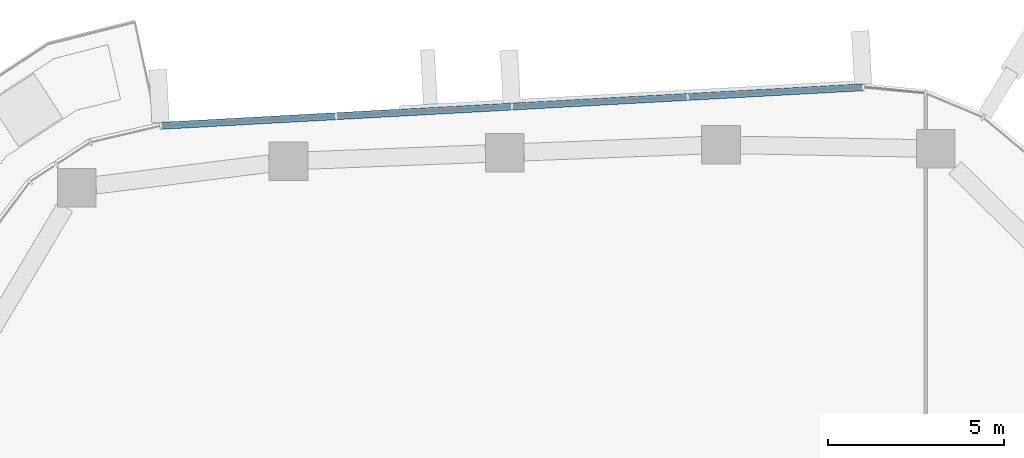
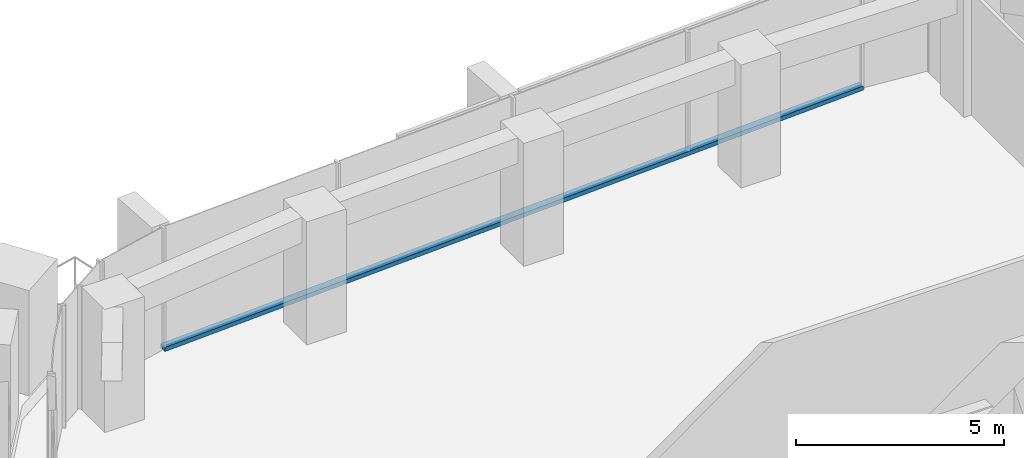
# One storey, part 7 of 21: 1 member, 1 element without a shape of its own.
"""IFC4 building model written with IfcOpenShell, lengths in metres."""

from ifc_helpers import new_model, si_unit, direction, frame, origin, origin_2d, place, context, subcontext, project, spatial, rectangle, extrude, material, layer, layer_set, material_profile, profile_set, type_object, element, aggregate, save


model = new_model("IFC4")

# Units and contexts
model_context = context("Model", 3, precision=1e-05, world=origin(), true_north=direction((0.0, 1.0)))
body_context = subcontext(model_context, "Body", "Model", "MODEL_VIEW")
ifc_project = project(units=[si_unit("LENGTHUNIT", "METRE"), si_unit("AREAUNIT", "SQUARE_METRE"), si_unit("VOLUMEUNIT", "CUBIC_METRE"), si_unit("PLANEANGLEUNIT", "RADIAN"), si_unit("MASSUNIT", "GRAM", prefix="KILO")], contexts=[model_context])

# Site, building, storey
site_placement = place(None, origin())
site = spatial("IfcSite", under=ifc_project, at=site_placement, CompositionType="ELEMENT")
building_placement = place(site_placement, origin())
building = spatial("IfcBuilding", under=site, at=building_placement, Name="Dongbaek Canopy Tower", CompositionType="ELEMENT")
storey_placement = place(building_placement, frame((0.0, 0.0, 279.0)))
storey = spatial("IfcBuildingStorey", under=building, at=storey_placement, Name="L59", CompositionType="ELEMENT", Elevation=279.0)

# Curtain wall, member
ifc_material_1 = material(Name="Aluminium 6063-T6 pale anodised", Category="aluminium")
ifc_layer = layer(ifc_material_1, 0.199951171875)
ifc_layer_set = layer_set([ifc_layer], Name="CW-1 unitised tower curtain wall")
curtain_wall_type = type_object("IfcCurtainWallType", Name="CW-1 unitised tower curtain wall", PredefinedType="NOTDEFINED", material=ifc_layer_set)
curtain_wall_placement = place(storey_placement, origin())
curtain_wall = element("IfcCurtainWall", 1, at=curtain_wall_placement, inside=storey, type_object=curtain_wall_type, Name="CW-1 curtain wall F1.1", PredefinedType="NOTDEFINED")
ifc_material_2 = material(Name="Aluminium 6063-T6 pale anodised", Category="aluminium")
ifc_material_profile = material_profile(ifc_material_2, rectangle(XDim=0.199951171875, YDim=0.1201171875, at=origin_2d()), Name="CW-1 transom 120 x 200")
ifc_profile_set = profile_set([ifc_material_profile], Name="Aluminium 6063-T6 pale anodised")
member_type = type_object("IfcMemberType", Name="CW-1 transom 120 x 200", PredefinedType="USERDEFINED", material=ifc_profile_set)
member_placement = place(storey_placement, frame((8.926513671875, 26.345703125, 0.06005859375), z_axis=(-0.99849559686, -0.054831952831, 0.0), x_axis=(0.054831952831, -0.99849559686, 0.0)))
member = element("IfcMember", 2, at=member_placement, type_object=member_type, Name="CW-1 transom F1.1.1", ObjectType="TRANSOM", PredefinedType="USERDEFINED", context=body_context, shape_type="SweptSolid", body=[
    extrude(rectangle(XDim=0.199951171875, YDim=0.1201171875, at=origin_2d()), origin(), (0.0, 0.0, 1.0), 20.005126953125),
])
aggregate(curtain_wall, [member])

save(model, "model.ifc")
